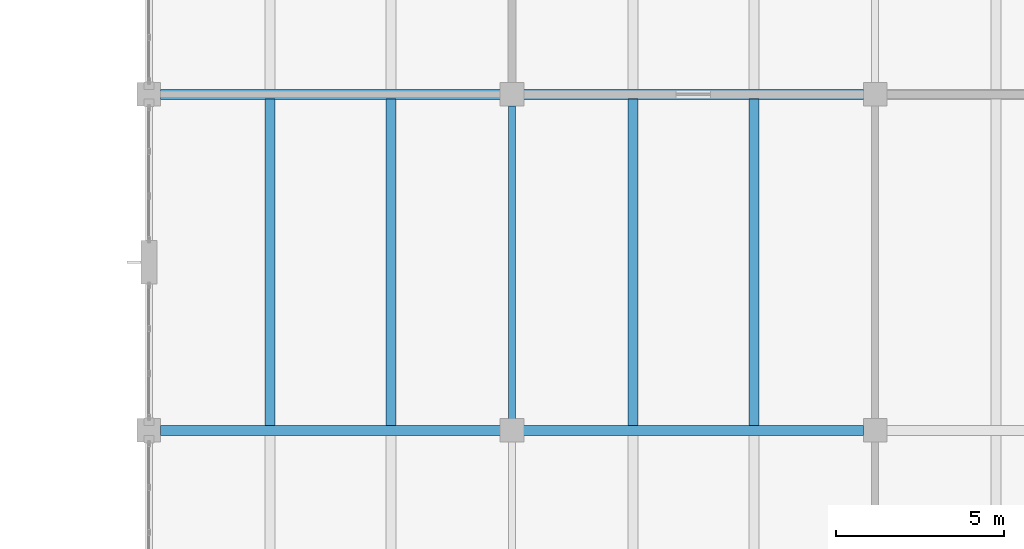
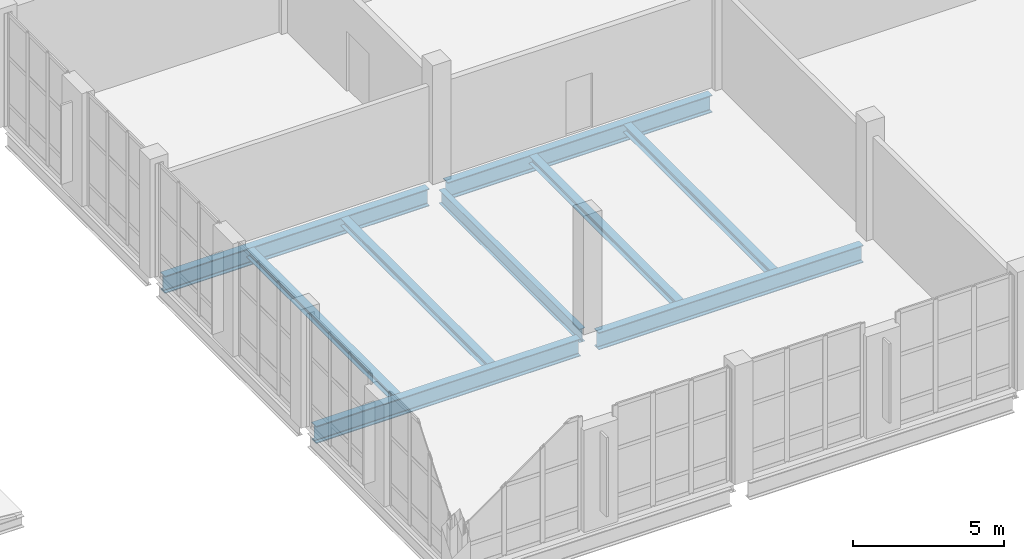
# One storey, part 30 of 92: 9 beams.
"""IFC4 building model written with IfcOpenShell, lengths in metres."""

from ifc_helpers import new_model, si_unit, direction, frame, origin, origin_2d, place, context, subcontext, project, spatial, i_section, extrude, material, material_profile, profile_set, type_object, element, save


model = new_model("IFC4")

# Units and contexts
model_context = context("Model", 3, precision=1e-05, world=origin(), true_north=direction((0.0, 1.0)))
body_context = subcontext(model_context, "Body", "Model", "MODEL_VIEW")
ifc_project = project(units=[si_unit("LENGTHUNIT", "METRE"), si_unit("AREAUNIT", "SQUARE_METRE"), si_unit("VOLUMEUNIT", "CUBIC_METRE"), si_unit("PLANEANGLEUNIT", "RADIAN"), si_unit("MASSUNIT", "GRAM", prefix="KILO")], contexts=[model_context])

# Site, building, storey
site_placement = place(None, origin())
site = spatial("IfcSite", under=ifc_project, at=site_placement, CompositionType="ELEMENT")
building_placement = place(site_placement, origin())
building = spatial("IfcBuilding", under=site, at=building_placement, Name="Tasgan Crest Museum", CompositionType="ELEMENT")
storey_placement = place(building_placement, frame((0.0, 0.0, 4.800048828125)))
storey = spatial("IfcBuildingStorey", under=building, at=storey_placement, Name="L01", CompositionType="ELEMENT", Elevation=4.800048828125)

# Beams
ifc_material_1 = material(Name="Steel S355K2", Category="steel")
ifc_material_profile_1 = material_profile(ifc_material_1, i_section(OverallWidth=0.300048828125, OverallDepth=0.699951171875, WebThickness=0.01708984375, FlangeThickness=0.031982421875, FilletRadius=0.027099609375, at=origin_2d()), Name="HEB 700")
ifc_profile_set_1 = profile_set([ifc_material_profile_1], Name="Steel S355K2")
beam_type_1 = type_object("IfcBeamType", Name="BM-G-HEB700", PredefinedType="BEAM", material=ifc_profile_set_1)
beam_1_placement = place(storey_placement, frame((108.345947265625, 20.0, -0.630126953125), z_axis=(1.0, 0.0, 0.0), x_axis=(0.0, 1.0, 0.0)))
element("IfcBeam", 1, at=beam_1_placement, inside=storey, type_object=beam_type_1, Name="Girder L01 C 108.0-118.8", PredefinedType="BEAM", context=body_context, shape_type="SweptSolid", body=[
    extrude(i_section(OverallWidth=0.300048828125, OverallDepth=0.699951171875, WebThickness=0.01708984375, FlangeThickness=0.031982421875, FilletRadius=0.027099609375, at=origin_2d()), origin(), (0.0, 0.0, 1.0), 10.108154296875),
])
beam_2_placement = place(storey_placement, frame((119.14599609375, 20.0, -0.630126953125), z_axis=(1.0, 0.0, 0.0), x_axis=(0.0, 1.0, 0.0)))
element("IfcBeam", 2, at=beam_2_placement, inside=storey, type_object=beam_type_1, Name="Girder L01 C 118.8-129.6", PredefinedType="BEAM", context=body_context, shape_type="SweptSolid", body=[
    extrude(i_section(OverallWidth=0.300048828125, OverallDepth=0.699951171875, WebThickness=0.01708984375, FlangeThickness=0.031982421875, FilletRadius=0.027099609375, at=origin_2d()), origin(), (0.0, 0.0, 1.0), 10.10791015625),
])
beam_3_placement = place(storey_placement, frame((108.345947265625, 30.0, -0.630126953125), z_axis=(1.0, 0.0, 0.0), x_axis=(0.0, 1.0, 0.0)))
element("IfcBeam", 3, at=beam_3_placement, inside=storey, type_object=beam_type_1, Name="Girder L01 D 108.0-118.8", PredefinedType="BEAM", context=body_context, shape_type="SweptSolid", body=[
    extrude(i_section(OverallWidth=0.300048828125, OverallDepth=0.699951171875, WebThickness=0.01708984375, FlangeThickness=0.031982421875, FilletRadius=0.027099609375, at=origin_2d()), origin(), (0.0, 0.0, 1.0), 10.108154296875),
])
beam_4_placement = place(storey_placement, frame((119.14599609375, 30.0, -0.630126953125), z_axis=(1.0, 0.0, 0.0), x_axis=(0.0, 1.0, 0.0)))
element("IfcBeam", 4, at=beam_4_placement, inside=storey, type_object=beam_type_1, Name="Girder L01 D 118.8-129.6", PredefinedType="BEAM", context=body_context, shape_type="SweptSolid", body=[
    extrude(i_section(OverallWidth=0.300048828125, OverallDepth=0.699951171875, WebThickness=0.01708984375, FlangeThickness=0.031982421875, FilletRadius=0.027099609375, at=origin_2d()), origin(), (0.0, 0.0, 1.0), 10.10791015625),
])
ifc_material_2 = material(Name="Steel S355J2", Category="steel")
ifc_material_profile_2 = material_profile(ifc_material_2, i_section(OverallWidth=0.2099609375, OverallDepth=0.550048828125, WebThickness=0.010986328125, FlangeThickness=0.01708984375, FilletRadius=0.02392578125, at=origin_2d()), Name="IPE 550")
ifc_profile_set_2 = profile_set([ifc_material_profile_2], Name="Steel S355J2")
beam_type_2 = type_object("IfcBeamType", Name="BM-G-IPE550", PredefinedType="BEAM", material=ifc_profile_set_2)
beam_5_placement = place(storey_placement, frame((118.800048828125, 20.344970703125, -0.554931640625), z_axis=(0.0, 1.0, 0.0), x_axis=(-1.0, 0.0, 0.0)))
element("IfcBeam", 5, at=beam_5_placement, inside=storey, type_object=beam_type_2, Name="Beam L01 12 20.0-30.0", PredefinedType="BEAM", context=body_context, shape_type="SweptSolid", body=[
    extrude(i_section(OverallWidth=0.2099609375, OverallDepth=0.550048828125, WebThickness=0.010986328125, FlangeThickness=0.01708984375, FilletRadius=0.02392578125, at=origin_2d()), origin(), (0.0, 0.0, 1.0), 9.31005859375),
])
ifc_material_3 = material(Name="Steel S355J2", Category="steel")
ifc_material_profile_3 = material_profile(ifc_material_3, i_section(OverallWidth=0.300048828125, OverallDepth=0.31005859375, WebThickness=0.009033203125, FlangeThickness=0.015380859375, FilletRadius=0.027099609375, at=origin_2d()), Name="HEA 320")
ifc_profile_set_3 = profile_set([ifc_material_profile_3], Name="Steel S355J2")
beam_type_3 = type_object("IfcBeamType", Name="BM-J-HEA320", PredefinedType="JOIST", material=ifc_profile_set_3)
for number, where, z_axis, x_axis, name in (
    (6, (111.60009765625, 20.14501953125, -0.43505859375), (0.0, 1.0, 0.0), (-1.0, 0.0, 0.0), "Secondary joist L01 X=111.6 Y=20.0-30.0"),
    (7, (115.199951171875, 20.14501953125, -0.43505859375), (0.0, 1.0, 0.0), (-1.0, 0.0, 0.0), "Secondary joist L01 X=115.2 Y=20.0-30.0"),
    (8, (122.39990234375, 20.14501953125, -0.43505859375), (0.0, 1.0, 0.0), (-1.0, 0.0, 0.0), "Secondary joist L01 X=122.4 Y=20.0-30.0"),
    (9, (126.0, 20.14501953125, -0.43505859375), (0.0, 1.0, 0.0), (-1.0, 0.0, 0.0), "Secondary joist L01 X=126.0 Y=20.0-30.0"),
):
    element("IfcBeam", number, at=place(storey_placement, frame(where, z_axis=z_axis, x_axis=x_axis)), inside=storey, type_object=beam_type_3, Name=name, PredefinedType="JOIST", context=body_context, shape_type="SweptSolid", body=[
        extrude(i_section(OverallWidth=0.300048828125, OverallDepth=0.31005859375, WebThickness=0.009033203125, FlangeThickness=0.015380859375, FilletRadius=0.027099609375, at=origin_2d()), origin(), (0.0, 0.0, 1.0), 9.7099609375),
    ])

save(model, "model.ifc")
